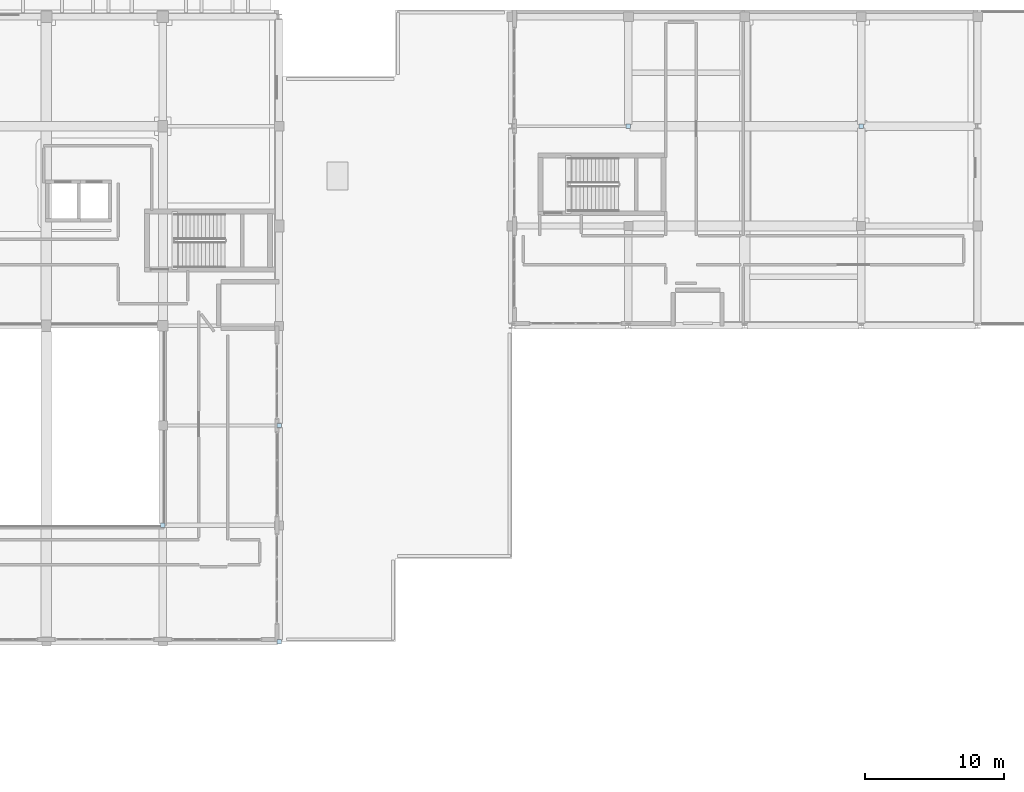
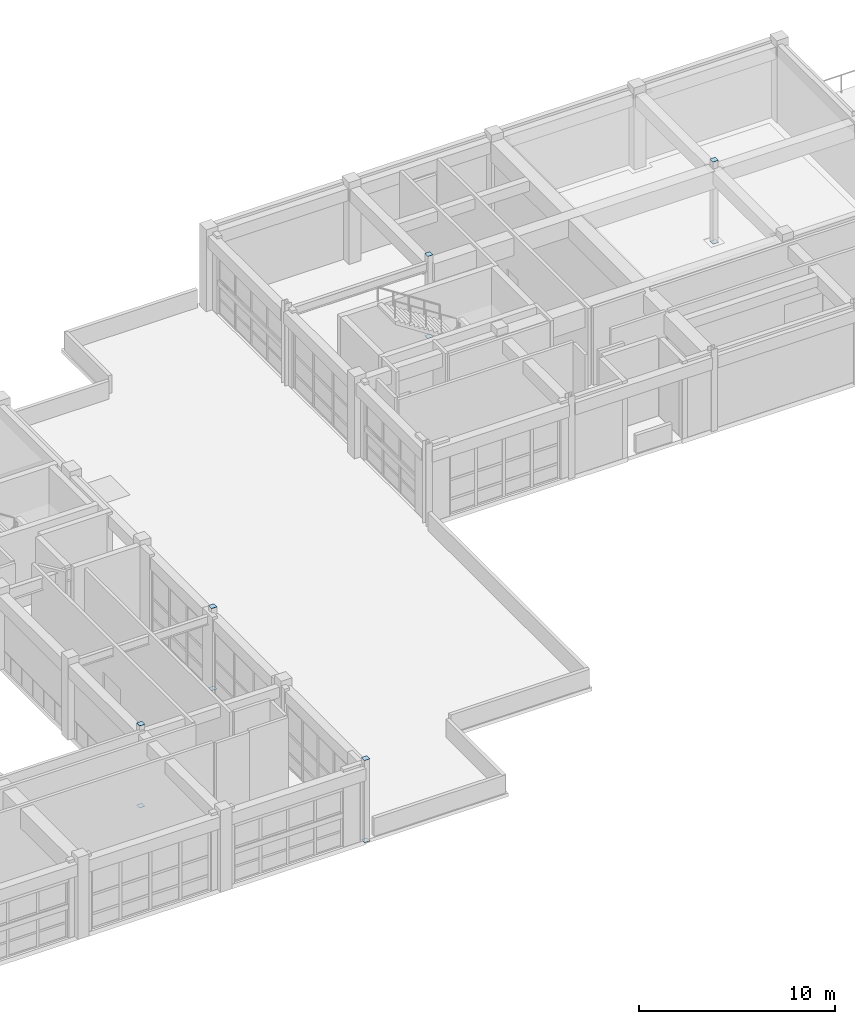
# One storey, part 57 of 78: 10 plates.
"""IFC4 building model written with IfcOpenShell, lengths in metres."""

import ifcopenshell
import ifcopenshell.guid

model = None  # the IFC model being written
_history = None  # IfcOwnerHistory: only IFC2X3 demands one
_inside = {}  # id of a spatial element -> (the spatial element, [elements in it])
_under = {}  # id of a project, library or spatial element -> (it, [spatial elements below it])
_declared = {}  # id of a project -> (the project, [libraries it declares])
_typed = {}  # id of a type object -> (the type object, [elements of that type])
_made_of = {}  # id of a material, layer set ... -> (it, [elements and type objects made of it])


def new_model(schema):
    """Start an empty IFC model of exactly this schema.

    Asked for "IFC4X3", IfcOpenShell would pick the latest addendum, in which some entities
    have other attributes; the version numbers below select the first issue.
    IFC2X3 requires an IfcOwnerHistory on every rooted entity: one is made here for all.
    """
    global model, _history
    if schema == "IFC4X3":
        model = ifcopenshell.file(schema_version=(4, 3, 0, 0))
    else:
        model = ifcopenshell.file(schema=schema)
    _inside.clear()
    _under.clear()
    _declared.clear()
    _typed.clear()
    _made_of.clear()
    _history = None
    if model.schema == "IFC2X3":
        org = make("IfcOrganization", Name="unknown")
        user = make(
            "IfcPersonAndOrganization",
            ThePerson=make("IfcPerson", FamilyName="unknown"),
            TheOrganization=org,
        )
        app = make(
            "IfcApplication",
            ApplicationDeveloper=org,
            Version="unknown",
            ApplicationFullName="unknown",
            ApplicationIdentifier="unknown",
        )
        _history = make(
            "IfcOwnerHistory",
            OwningUser=user,
            OwningApplication=app,
            ChangeAction="ADDED",
            CreationDate=0,
        )
    return model


def make(cls, **values):
    """One entity of the class cls with the attributes given. An attribute that is None is left unset."""
    return model.create_entity(
        cls, **{name: value for name, value in values.items() if value is not None}
    )


def rooted(cls, **values):
    """An entity with a GlobalId (a new one), such as an element, a storey or a relation."""
    return make(cls, GlobalId=ifcopenshell.guid.new(), OwnerHistory=_history, **values)


def si_unit(unit_type, name, prefix=None):
    """IfcSIUnit, for example si_unit("LENGTHUNIT", "METRE", prefix="MILLI")."""
    return make("IfcSIUnit", UnitType=unit_type, Prefix=prefix, Name=name)


def assignment(units):
    """IfcUnitAssignment: the units of a project."""
    return None if units is None else make("IfcUnitAssignment", Units=units)


def point(xyz):
    """IfcCartesianPoint."""
    return None if xyz is None else make("IfcCartesianPoint", Coordinates=xyz)


def direction(xyz):
    """IfcDirection."""
    return None if xyz is None else make("IfcDirection", DirectionRatios=xyz)


def frame(location, z_axis=None, x_axis=None):
    """IfcAxis2Placement3D, a coordinate frame: its origin and axes. An axis left out is left unset."""
    return make(
        "IfcAxis2Placement3D",
        Location=point(location),
        Axis=direction(z_axis),
        RefDirection=direction(x_axis),
    )


def frame_2d(location, x_axis=None):
    """IfcAxis2Placement2D, a coordinate frame in the plane: its origin and x axis."""
    return make(
        "IfcAxis2Placement2D", Location=point(location), RefDirection=direction(x_axis)
    )


def origin():
    """The frame at (0, 0, 0) with its axes left unset."""
    return frame((0.0, 0.0, 0.0))


def origin_2d():
    """The frame at (0, 0) in the plane with its x axis left unset."""
    return frame_2d((0.0, 0.0))


def place(relative_to, where):
    """IfcLocalPlacement: puts the frame where relative to a parent placement (None: the world)."""
    return make(
        "IfcLocalPlacement", PlacementRelTo=relative_to, RelativePlacement=where
    )


def context(
    kind, dimensions, precision=None, world=None, true_north=None, identifier=None
):
    """IfcGeometricRepresentationContext, for example the 3D "Model" context."""
    return make(
        "IfcGeometricRepresentationContext",
        ContextIdentifier=identifier,
        ContextType=kind,
        CoordinateSpaceDimension=dimensions,
        Precision=precision,
        WorldCoordinateSystem=world,
        TrueNorth=true_north,
    )


def subcontext(parent, identifier, kind, view, scale=None):
    """IfcGeometricRepresentationSubContext, for example "Body" below "Model"."""
    return make(
        "IfcGeometricRepresentationSubContext",
        ContextIdentifier=identifier,
        ContextType=kind,
        ParentContext=parent,
        TargetScale=scale,
        TargetView=view,
    )


def project(units=None, contexts=None):
    """IfcProject with its units and contexts."""
    return rooted(
        "IfcProject",
        Name="project",
        RepresentationContexts=contexts,
        UnitsInContext=assignment(units),
    )


def spatial(cls, under=None, at=None, **own):
    """A site, building, storey or space (cls), placed at a placement, below another one or the project."""
    s = rooted(cls, ObjectPlacement=at, **own)
    if under is not None:
        _under.setdefault(under.id(), (under, []))[1].append(s)
    return s


def profile(cls, at=None, kind="AREA", **sizes):
    """A parametric profile (cls). Its sizes go by their IFC names, for example OverallWidth=200.0."""
    return make(cls, ProfileType=kind, Position=at, **sizes)


def rectangle(**sizes):
    """IfcRectangleProfileDef."""
    return profile("IfcRectangleProfileDef", **sizes)


def extrude(swept, where, along, depth):
    """IfcExtrudedAreaSolid: the profile swept, set in the frame where, extruded along a direction by depth."""
    return make(
        "IfcExtrudedAreaSolid",
        SweptArea=swept,
        Position=where,
        ExtrudedDirection=direction(along),
        Depth=depth,
    )


def shape(context_of_items, identifier, shape_type, items):
    """IfcShapeRepresentation: the items that make up one representation, for example the "Body"."""
    return make(
        "IfcShapeRepresentation",
        ContextOfItems=context_of_items,
        RepresentationIdentifier=identifier,
        RepresentationType=shape_type,
        Items=items,
    )


def material(Name=None, Category=None):
    """IfcMaterial."""
    return make("IfcMaterial", Name=Name, Category=Category)


def layer(
    of_material, thickness, ventilated=None, Name=None, Category=None, Priority=None
):
    """IfcMaterialLayer: one layer of a wall or slab, of a material (None: an air gap)."""
    return make(
        "IfcMaterialLayer",
        Material=of_material,
        LayerThickness=thickness,
        IsVentilated=ventilated,
        Name=Name,
        Category=Category,
        Priority=Priority,
    )


def layer_set(layers, Name=None):
    """IfcMaterialLayerSet."""
    return make("IfcMaterialLayerSet", MaterialLayers=layers, LayerSetName=Name)


def made_of(thing, what):
    """Note that an element or type object is made of a material, layer set ...; save() writes the relation."""
    if what is not None:
        _made_of.setdefault(what.id(), (what, []))[1].append(thing)
    return thing


def type_object(cls, material=None, **own):
    """A type object (cls), such as IfcWallType, which elements share."""
    return made_of(rooted(cls, **own), material)


def element(
    cls,
    number,
    at=None,
    inside=None,
    cuts=None,
    type_object=None,
    material=None,
    context=None,
    identifier="Body",
    shape_type=None,
    held_by="IfcProductDefinitionShape",
    body=None,
    shapes=None,
    **own,
):
    """One element of the class cls, such as IfcWall. Its Tag is "e" and its number.

    at: its placement. inside: the storey or other place that contains it. cuts: it is an
    opening in that element (IfcRelVoidsElement). A single representation is given by context,
    identifier, shape_type and body (its items); several are given by shapes. held_by: the class
    of the entity that holds the representations. save() writes the other relations.
    """
    e = rooted(cls, Tag="e%d" % number, ObjectPlacement=at, **own)
    if body is not None:
        shapes = [shape(context, identifier, shape_type, body)]
    if shapes is not None:
        e.Representation = make(held_by, Representations=shapes)
    if inside is not None:
        _inside.setdefault(inside.id(), (inside, []))[1].append(e)
    if cuts is not None:
        rooted(
            "IfcRelVoidsElement", RelatingBuildingElement=cuts, RelatedOpeningElement=e
        )
    if type_object is not None:
        _typed.setdefault(type_object.id(), (type_object, []))[1].append(e)
    return made_of(e, material)


def aggregate(whole, parts):
    """IfcRelAggregates: a whole, such as a stair, and the parts it consists of."""
    return rooted("IfcRelAggregates", RelatingObject=whole, RelatedObjects=parts)


def save(model, path):
    """Write the relations noted so far, then the file.

    IfcRelAggregates (storeys below a building ...), IfcRelContainedInSpatialStructure (elements
    in a storey), IfcRelDefinesByType, IfcRelAssociatesMaterial and IfcRelDeclares: one each for
    every whole, place, type object, material and project.
    """
    for whole, parts in _under.values():
        aggregate(whole, parts)
    for where, things in _inside.values():
        rooted(
            "IfcRelContainedInSpatialStructure",
            RelatedElements=things,
            RelatingStructure=where,
        )
    for kind, things in _typed.values():
        rooted("IfcRelDefinesByType", RelatedObjects=things, RelatingType=kind)
    for what, things in _made_of.values():
        rooted("IfcRelAssociatesMaterial", RelatedObjects=things, RelatingMaterial=what)
    for by, libraries in _declared.values():
        rooted("IfcRelDeclares", RelatingContext=by, RelatedDefinitions=libraries)
    model.write(path)


model = new_model("IFC4")

# Units and contexts
model_context = context("Model", 3, precision=1e-05, world=origin(), true_north=direction((0.0, 1.0)))
body_context = subcontext(model_context, "Body", "Model", "MODEL_VIEW")
ifc_project = project(units=[si_unit("LENGTHUNIT", "METRE"), si_unit("AREAUNIT", "SQUARE_METRE"), si_unit("VOLUMEUNIT", "CUBIC_METRE"), si_unit("PLANEANGLEUNIT", "RADIAN"), si_unit("MASSUNIT", "GRAM", prefix="KILO")], contexts=[model_context])

# Site, building, storey
site_placement = place(None, origin())
site = spatial("IfcSite", under=ifc_project, at=site_placement, CompositionType="ELEMENT")
building_placement = place(site_placement, origin())
building = spatial("IfcBuilding", under=site, at=building_placement, Name="Quendrovan Civic Courthouse", CompositionType="ELEMENT")
storey_placement = place(building_placement, frame((0.0, 0.0, 10.199951171875)))
storey = spatial("IfcBuildingStorey", under=building, at=storey_placement, Name="L03", CompositionType="ELEMENT", Elevation=10.199951171875)

# Plates
ifc_material = material(Name="Steel ASTM A572 Grade 50", Category="steel")
ifc_layer = layer(ifc_material, 0.011962890625, Name="Steel ASTM A572 Grade 50")
ifc_layer_set = layer_set([ifc_layer], Name="Steel ASTM A572 Grade 50")
plate_type = type_object("IfcPlateType", Name="PLT-CAP-12", PredefinedType="SHEET", material=ifc_layer_set)
for number, where, z_axis, x_axis, name in (
    (1, (84.0, 73.199951171875, 5.10009765625), (0.0, 0.0, 1.0), (1.0, 0.0, 0.0), "L03 Hollow Column End Cap Plate COL-L03-11-K-TOP"),
    (2, (84.0, 73.199951171875, -0.01171875), (0.0, 0.0, 1.0), (1.0, 0.0, 0.0), "L03 Hollow Column End Cap Plate COL-L03-11-K-BOT"),
    (3, (92.39990234375, 64.800048828125, 5.10009765625), (0.0, 0.0, 1.0), (1.0, 0.0, 0.0), "L03 Hollow Column End Cap Plate COL-L03-12-J-TOP"),
    (4, (92.39990234375, 64.800048828125, -0.01171875), (0.0, 0.0, 1.0), (1.0, 0.0, 0.0), "L03 Hollow Column End Cap Plate COL-L03-12-J-BOT"),
    (5, (92.39990234375, 80.39990234375, 5.10009765625), (0.0, 0.0, 1.0), (1.0, 0.0, 0.0), "L03 Hollow Column End Cap Plate COL-L03-12-L-TOP"),
    (6, (92.39990234375, 80.39990234375, -0.01171875), (0.0, 0.0, 1.0), (1.0, 0.0, 0.0), "L03 Hollow Column End Cap Plate COL-L03-12-L-BOT"),
    (7, (117.60009765625, 102.0, 5.10009765625), (0.0, 0.0, 1.0), (1.0, 0.0, 0.0), "L03 Hollow Column End Cap Plate COL-L03-15-P-TOP"),
    (8, (117.60009765625, 102.0, -0.01171875), (0.0, 0.0, 1.0), (1.0, 0.0, 0.0), "L03 Hollow Column End Cap Plate COL-L03-15-P-BOT"),
    (9, (134.39990234375, 102.0, 5.10009765625), (0.0, 0.0, 1.0), (1.0, 0.0, 0.0), "L03 Hollow Column End Cap Plate COL-L03-17-P-TOP"),
    (10, (134.39990234375, 102.0, -0.01171875), (0.0, 0.0, 1.0), (1.0, 0.0, 0.0), "L03 Hollow Column End Cap Plate COL-L03-17-P-BOT"),
):
    element("IfcPlate", number, at=place(storey_placement, frame(where, z_axis=z_axis, x_axis=x_axis)), inside=storey, type_object=plate_type, Name=name, PredefinedType="SHEET", context=body_context, shape_type="SweptSolid", body=[
        extrude(rectangle(XDim=0.320068359375, YDim=0.320068359375, at=origin_2d()), origin(), (0.0, 0.0, 1.0), 0.011962890625),
    ])

save(model, "model.ifc")
